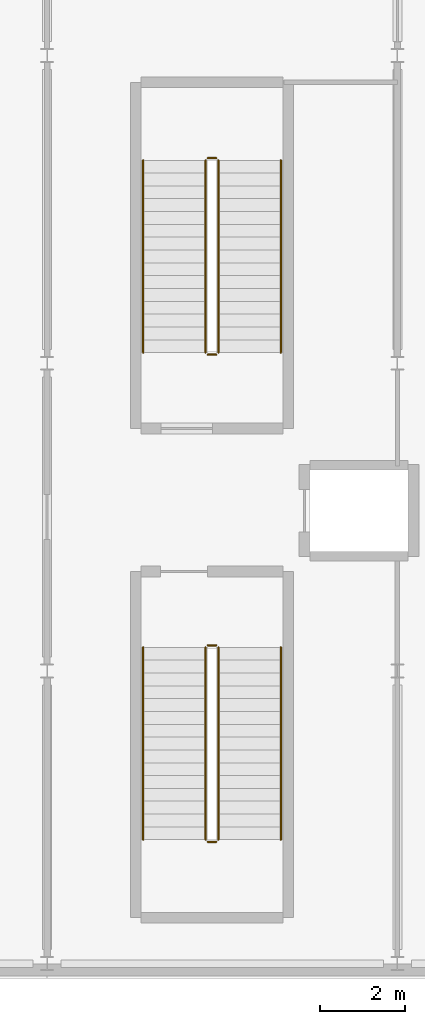
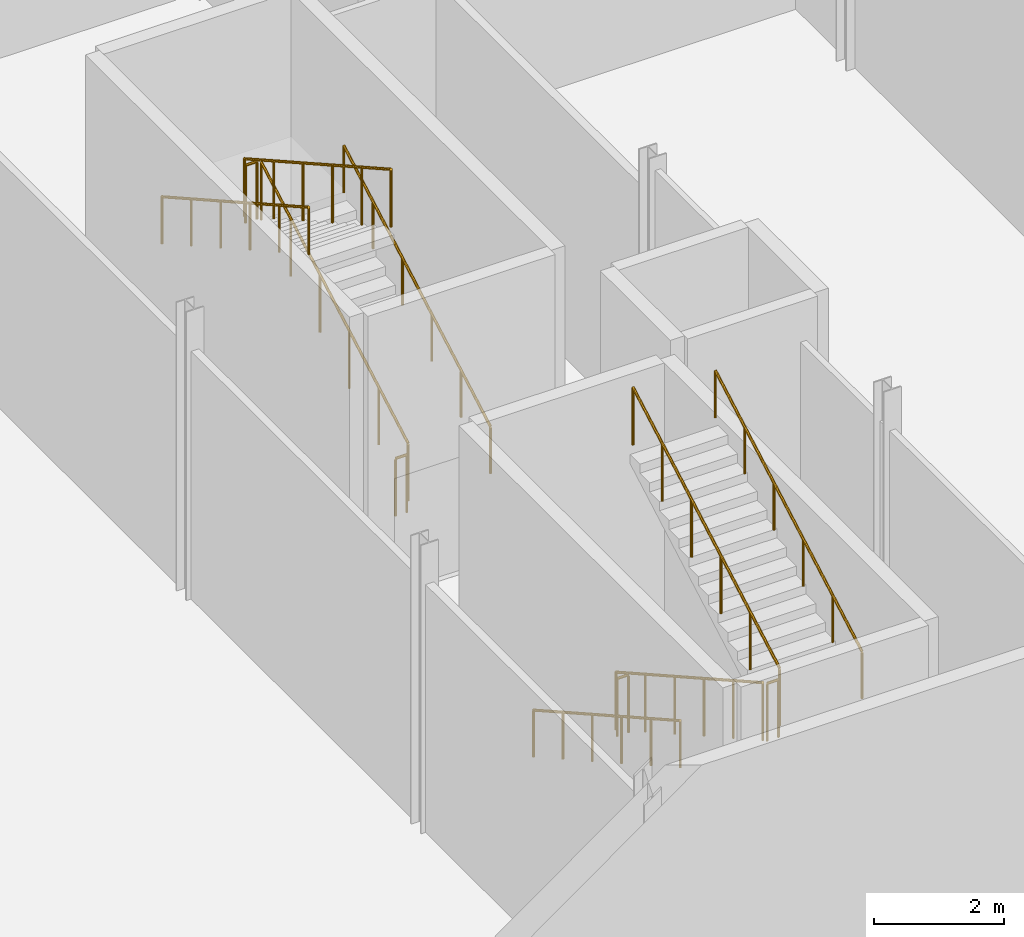
# One storey, part 83 of 83: 12 railings.
"""IFC4 building model written with IfcOpenShell, lengths in metres."""

from ifc_helpers import new_model, si_unit, direction, frame, origin, origin_2d, place, context, subcontext, project, spatial, circle, extrude, material, type_object, element, save


model = new_model("IFC4")

# Units and contexts
model_context = context("Model", 3, precision=1e-05, world=origin(), true_north=direction((0.0, 1.0)))
body_context = subcontext(model_context, "Body", "Model", "MODEL_VIEW")
ifc_project = project(units=[si_unit("LENGTHUNIT", "METRE"), si_unit("AREAUNIT", "SQUARE_METRE"), si_unit("VOLUMEUNIT", "CUBIC_METRE"), si_unit("PLANEANGLEUNIT", "RADIAN"), si_unit("MASSUNIT", "GRAM", prefix="KILO")], contexts=[model_context])

# Site, building, storey
site_placement = place(None, origin())
site = spatial("IfcSite", under=ifc_project, at=site_placement, CompositionType="ELEMENT")
building_placement = place(site_placement, origin())
building = spatial("IfcBuilding", under=site, at=building_placement, Name="Quillay Park Conservatory", CompositionType="ELEMENT")
storey_placement = place(building_placement, origin())
storey = spatial("IfcBuildingStorey", under=building, at=storey_placement, Name="L00", CompositionType="ELEMENT", Elevation=0.0)

# Railings
ifc_material_1 = material(Name="Steel S355J2H", Category="steel")
railing_type_1 = type_object("IfcRailingType", Name="STAIR WALL HANDRAIL 900", PredefinedType="HANDRAIL", material=ifc_material_1)
railing_1_placement = place(storey_placement, frame((150.25, 92.949951171875, 0.168701171875)))
element("IfcRailing", 1, at=railing_1_placement, inside=storey, type_object=railing_type_1, Name="L00 ST-A1 stair handrail 1", PredefinedType="HANDRAIL", context=body_context, shape_type="SweptSolid", body=[
    extrude(circle(Radius=0.02392578125, at=origin_2d()), frame((0.0, 0.0, 0.8759765625), z_axis=(0.0, -0.871575537125, 0.490261239633), x_axis=(1.0, 0.0, 0.0)), (0.0, 0.0, 1.0), 5.1630859375),
    extrude(circle(Radius=0.02099609375, at=origin_2d()), origin(), (0.0, 0.0, 1.0), 0.851806640625),
    extrude(circle(Radius=0.02099609375, at=origin_2d()), frame((0.0, -0.89990234375, 0.50634765625)), (0.0, 0.0, 1.0), 0.851806640625),
    extrude(circle(Radius=0.02099609375, at=origin_2d()), frame((0.0, -1.800048828125, 1.012451171875)), (0.0, 0.0, 1.0), 0.851806640625),
    extrude(circle(Radius=0.02099609375, at=origin_2d()), frame((0.0, -2.699951171875, 1.518798828125)), (0.0, 0.0, 1.0), 0.851806640625),
    extrude(circle(Radius=0.02099609375, at=origin_2d()), frame((0.0, -3.60009765625, 2.02490234375)), (0.0, 0.0, 1.0), 0.851806640625),
    extrude(circle(Radius=0.02099609375, at=origin_2d()), frame((0.0, -4.5, 2.53125)), (0.0, 0.0, 1.0), 0.851806640625),
])
for number, where, name in (
    (2, (153.469970703125, 88.449951171875, 2.86865234375), "L00 ST-A1 stair handrail 2"),
    (3, (153.469970703125, 99.85009765625, 0.168701171875), "L00 ST-A2 stair handrail 1"),
):
    element("IfcRailing", number, at=place(storey_placement, frame(where)), inside=storey, type_object=railing_type_1, Name=name, PredefinedType="HANDRAIL", context=body_context, shape_type="SweptSolid", body=[
        extrude(circle(Radius=0.02392578125, at=origin_2d()), frame((0.0, 0.0, 0.8759765625), z_axis=(0.0, 0.871575537125, 0.490261239633), x_axis=(-1.0, 0.0, 0.0)), (0.0, 0.0, 1.0), 5.1630859375),
        extrude(circle(Radius=0.02099609375, at=origin_2d()), origin(), (0.0, 0.0, 1.0), 0.851806640625),
        extrude(circle(Radius=0.02099609375, at=origin_2d()), frame((0.0, 0.89990234375, 0.50634765625)), (0.0, 0.0, 1.0), 0.851806640625),
        extrude(circle(Radius=0.02099609375, at=origin_2d()), frame((0.0, 1.800048828125, 1.012451171875)), (0.0, 0.0, 1.0), 0.851806640625),
        extrude(circle(Radius=0.02099609375, at=origin_2d()), frame((0.0, 2.699951171875, 1.518798828125)), (0.0, 0.0, 1.0), 0.851806640625),
        extrude(circle(Radius=0.02099609375, at=origin_2d()), frame((0.0, 3.60009765625, 2.02490234375)), (0.0, 0.0, 1.0), 0.851806640625),
        extrude(circle(Radius=0.02099609375, at=origin_2d()), frame((0.0, 4.5, 2.53125)), (0.0, 0.0, 1.0), 0.851806640625),
    ])
railing_2_placement = place(storey_placement, frame((150.25, 104.35009765625, 2.86865234375)))
element("IfcRailing", 4, at=railing_2_placement, inside=storey, type_object=railing_type_1, Name="L00 ST-A2 stair handrail 2", PredefinedType="HANDRAIL", context=body_context, shape_type="SweptSolid", body=[
    extrude(circle(Radius=0.02392578125, at=origin_2d()), frame((0.0, 0.0, 0.8759765625), z_axis=(0.0, -0.871575537125, 0.490261239633), x_axis=(1.0, 0.0, 0.0)), (0.0, 0.0, 1.0), 5.1630859375),
    extrude(circle(Radius=0.02099609375, at=origin_2d()), origin(), (0.0, 0.0, 1.0), 0.851806640625),
    extrude(circle(Radius=0.02099609375, at=origin_2d()), frame((0.0, -0.89990234375, 0.50634765625)), (0.0, 0.0, 1.0), 0.851806640625),
    extrude(circle(Radius=0.02099609375, at=origin_2d()), frame((0.0, -1.800048828125, 1.012451171875)), (0.0, 0.0, 1.0), 0.851806640625),
    extrude(circle(Radius=0.02099609375, at=origin_2d()), frame((0.0, -2.699951171875, 1.518798828125)), (0.0, 0.0, 1.0), 0.851806640625),
    extrude(circle(Radius=0.02099609375, at=origin_2d()), frame((0.0, -3.60009765625, 2.02490234375)), (0.0, 0.0, 1.0), 0.851806640625),
    extrude(circle(Radius=0.02099609375, at=origin_2d()), frame((0.0, -4.5, 2.53125)), (0.0, 0.0, 1.0), 0.851806640625),
])
ifc_material_2 = material(Name="Steel S355J2H", Category="steel")
railing_type_2 = type_object("IfcRailingType", Name="STAIR WELL GUARDRAIL 1100", PredefinedType="GUARDRAIL", material=ifc_material_2)
railing_3_placement = place(storey_placement, frame((151.7099609375, 92.949951171875, 0.168701171875)))
element("IfcRailing", 5, at=railing_3_placement, inside=storey, type_object=railing_type_2, Name="L00 ST-A1 stair guard 1", PredefinedType="GUARDRAIL", context=body_context, shape_type="SweptSolid", body=[
    extrude(circle(Radius=0.02392578125, at=origin_2d()), frame((0.0, 0.0, 1.076171875), z_axis=(0.0, -0.871575537125, 0.490261239633), x_axis=(1.0, 0.0, 0.0)), (0.0, 0.0, 1.0), 5.1630859375),
    extrude(circle(Radius=0.02099609375, at=origin_2d()), origin(), (0.0, 0.0, 1.0), 1.052001953125),
    extrude(circle(Radius=0.02099609375, at=origin_2d()), frame((0.0, -0.89990234375, 0.50634765625)), (0.0, 0.0, 1.0), 1.052001953125),
    extrude(circle(Radius=0.02099609375, at=origin_2d()), frame((0.0, -1.800048828125, 1.012451171875)), (0.0, 0.0, 1.0), 1.052001953125),
    extrude(circle(Radius=0.02099609375, at=origin_2d()), frame((0.0, -2.699951171875, 1.518798828125)), (0.0, 0.0, 1.0), 1.052001953125),
    extrude(circle(Radius=0.02099609375, at=origin_2d()), frame((0.0, -3.60009765625, 2.02490234375)), (0.0, 0.0, 1.0), 1.052001953125),
    extrude(circle(Radius=0.02099609375, at=origin_2d()), frame((0.0, -4.5, 2.53125)), (0.0, 0.0, 1.0), 1.052001953125),
])
railing_4_placement = place(storey_placement, frame((151.760009765625, 88.39990234375, 2.699951171875)))
element("IfcRailing", 6, at=railing_4_placement, inside=storey, type_object=railing_type_2, Name="L00 ST-A1 stair guard 2", PredefinedType="GUARDRAIL", context=body_context, shape_type="SweptSolid", body=[
    extrude(circle(Radius=0.02392578125, at=origin_2d()), frame((0.0, 0.0, 1.076171875), z_axis=(1.0, 0.0, 0.0), x_axis=(0.0, 1.0, 0.0)), (0.0, 0.0, 1.0), 0.199951171875),
    extrude(circle(Radius=0.02099609375, at=origin_2d()), origin(), (0.0, 0.0, 1.0), 1.052001953125),
    extrude(circle(Radius=0.02099609375, at=origin_2d()), frame((0.199951171875, 0.0, 0.0)), (0.0, 0.0, 1.0), 1.052001953125),
])
railing_5_placement = place(storey_placement, frame((152.010009765625, 88.449951171875, 2.86865234375)))
element("IfcRailing", 7, at=railing_5_placement, inside=storey, type_object=railing_type_2, Name="L00 ST-A1 stair guard 3", PredefinedType="GUARDRAIL", context=body_context, shape_type="SweptSolid", body=[
    extrude(circle(Radius=0.02392578125, at=origin_2d()), frame((0.0, 0.0, 1.076171875), z_axis=(0.0, 0.871575537125, 0.490261239633), x_axis=(-1.0, 0.0, 0.0)), (0.0, 0.0, 1.0), 5.1630859375),
    extrude(circle(Radius=0.02099609375, at=origin_2d()), origin(), (0.0, 0.0, 1.0), 1.052001953125),
    extrude(circle(Radius=0.02099609375, at=origin_2d()), frame((0.0, 0.89990234375, 0.50634765625)), (0.0, 0.0, 1.0), 1.052001953125),
    extrude(circle(Radius=0.02099609375, at=origin_2d()), frame((0.0, 1.800048828125, 1.012451171875)), (0.0, 0.0, 1.0), 1.052001953125),
    extrude(circle(Radius=0.02099609375, at=origin_2d()), frame((0.0, 2.699951171875, 1.518798828125)), (0.0, 0.0, 1.0), 1.052001953125),
    extrude(circle(Radius=0.02099609375, at=origin_2d()), frame((0.0, 3.60009765625, 2.02490234375)), (0.0, 0.0, 1.0), 1.052001953125),
    extrude(circle(Radius=0.02099609375, at=origin_2d()), frame((0.0, 4.5, 2.53125)), (0.0, 0.0, 1.0), 1.052001953125),
])
railing_6_placement = place(storey_placement, frame((151.760009765625, 93.0, 0.0)))
element("IfcRailing", 8, at=railing_6_placement, inside=storey, type_object=railing_type_2, Name="L00 ST-A1 stair guard 4", PredefinedType="GUARDRAIL", context=body_context, shape_type="SweptSolid", body=[
    extrude(circle(Radius=0.02392578125, at=origin_2d()), frame((0.0, 0.0, 1.076171875), z_axis=(1.0, 0.0, 0.0), x_axis=(0.0, 1.0, 0.0)), (0.0, 0.0, 1.0), 0.199951171875),
    extrude(circle(Radius=0.02099609375, at=origin_2d()), origin(), (0.0, 0.0, 1.0), 1.052001953125),
    extrude(circle(Radius=0.02099609375, at=origin_2d()), frame((0.199951171875, 0.0, 0.0)), (0.0, 0.0, 1.0), 1.052001953125),
])
railing_7_placement = place(storey_placement, frame((152.010009765625, 99.85009765625, 0.168701171875)))
element("IfcRailing", 9, at=railing_7_placement, inside=storey, type_object=railing_type_2, Name="L00 ST-A2 stair guard 1", PredefinedType="GUARDRAIL", context=body_context, shape_type="SweptSolid", body=[
    extrude(circle(Radius=0.02392578125, at=origin_2d()), frame((0.0, 0.0, 1.076171875), z_axis=(0.0, 0.871575537125, 0.490261239633), x_axis=(-1.0, 0.0, 0.0)), (0.0, 0.0, 1.0), 5.1630859375),
    extrude(circle(Radius=0.02099609375, at=origin_2d()), origin(), (0.0, 0.0, 1.0), 1.052001953125),
    extrude(circle(Radius=0.02099609375, at=origin_2d()), frame((0.0, 0.89990234375, 0.50634765625)), (0.0, 0.0, 1.0), 1.052001953125),
    extrude(circle(Radius=0.02099609375, at=origin_2d()), frame((0.0, 1.800048828125, 1.012451171875)), (0.0, 0.0, 1.0), 1.052001953125),
    extrude(circle(Radius=0.02099609375, at=origin_2d()), frame((0.0, 2.699951171875, 1.518798828125)), (0.0, 0.0, 1.0), 1.052001953125),
    extrude(circle(Radius=0.02099609375, at=origin_2d()), frame((0.0, 3.60009765625, 2.02490234375)), (0.0, 0.0, 1.0), 1.052001953125),
    extrude(circle(Radius=0.02099609375, at=origin_2d()), frame((0.0, 4.5, 2.53125)), (0.0, 0.0, 1.0), 1.052001953125),
])
railing_8_placement = place(storey_placement, frame((151.9599609375, 104.39990234375, 2.699951171875)))
element("IfcRailing", 10, at=railing_8_placement, inside=storey, type_object=railing_type_2, Name="L00 ST-A2 stair guard 2", PredefinedType="GUARDRAIL", context=body_context, shape_type="SweptSolid", body=[
    extrude(circle(Radius=0.02392578125, at=origin_2d()), frame((0.0, 0.0, 1.076171875), z_axis=(-1.0, 0.0, 0.0), x_axis=(0.0, -1.0, 0.0)), (0.0, 0.0, 1.0), 0.199951171875),
    extrude(circle(Radius=0.02099609375, at=origin_2d()), origin(), (0.0, 0.0, 1.0), 1.052001953125),
    extrude(circle(Radius=0.02099609375, at=origin_2d()), frame((-0.199951171875, 0.0, 0.0)), (0.0, 0.0, 1.0), 1.052001953125),
])
railing_9_placement = place(storey_placement, frame((151.7099609375, 104.35009765625, 2.86865234375)))
element("IfcRailing", 11, at=railing_9_placement, inside=storey, type_object=railing_type_2, Name="L00 ST-A2 stair guard 3", PredefinedType="GUARDRAIL", context=body_context, shape_type="SweptSolid", body=[
    extrude(circle(Radius=0.02392578125, at=origin_2d()), frame((0.0, 0.0, 1.076171875), z_axis=(0.0, -0.871575537125, 0.490261239633), x_axis=(1.0, 0.0, 0.0)), (0.0, 0.0, 1.0), 5.1630859375),
    extrude(circle(Radius=0.02099609375, at=origin_2d()), origin(), (0.0, 0.0, 1.0), 1.052001953125),
    extrude(circle(Radius=0.02099609375, at=origin_2d()), frame((0.0, -0.89990234375, 0.50634765625)), (0.0, 0.0, 1.0), 1.052001953125),
    extrude(circle(Radius=0.02099609375, at=origin_2d()), frame((0.0, -1.800048828125, 1.012451171875)), (0.0, 0.0, 1.0), 1.052001953125),
    extrude(circle(Radius=0.02099609375, at=origin_2d()), frame((0.0, -2.699951171875, 1.518798828125)), (0.0, 0.0, 1.0), 1.052001953125),
    extrude(circle(Radius=0.02099609375, at=origin_2d()), frame((0.0, -3.60009765625, 2.02490234375)), (0.0, 0.0, 1.0), 1.052001953125),
    extrude(circle(Radius=0.02099609375, at=origin_2d()), frame((0.0, -4.5, 2.53125)), (0.0, 0.0, 1.0), 1.052001953125),
])
railing_10_placement = place(storey_placement, frame((151.9599609375, 99.800048828125, 0.0)))
element("IfcRailing", 12, at=railing_10_placement, inside=storey, type_object=railing_type_2, Name="L00 ST-A2 stair guard 4", PredefinedType="GUARDRAIL", context=body_context, shape_type="SweptSolid", body=[
    extrude(circle(Radius=0.02392578125, at=origin_2d()), frame((0.0, 0.0, 1.076171875), z_axis=(-1.0, 0.0, 0.0), x_axis=(0.0, -1.0, 0.0)), (0.0, 0.0, 1.0), 0.199951171875),
    extrude(circle(Radius=0.02099609375, at=origin_2d()), origin(), (0.0, 0.0, 1.0), 1.052001953125),
    extrude(circle(Radius=0.02099609375, at=origin_2d()), frame((-0.199951171875, 0.0, 0.0)), (0.0, 0.0, 1.0), 1.052001953125),
])

save(model, "model.ifc")
